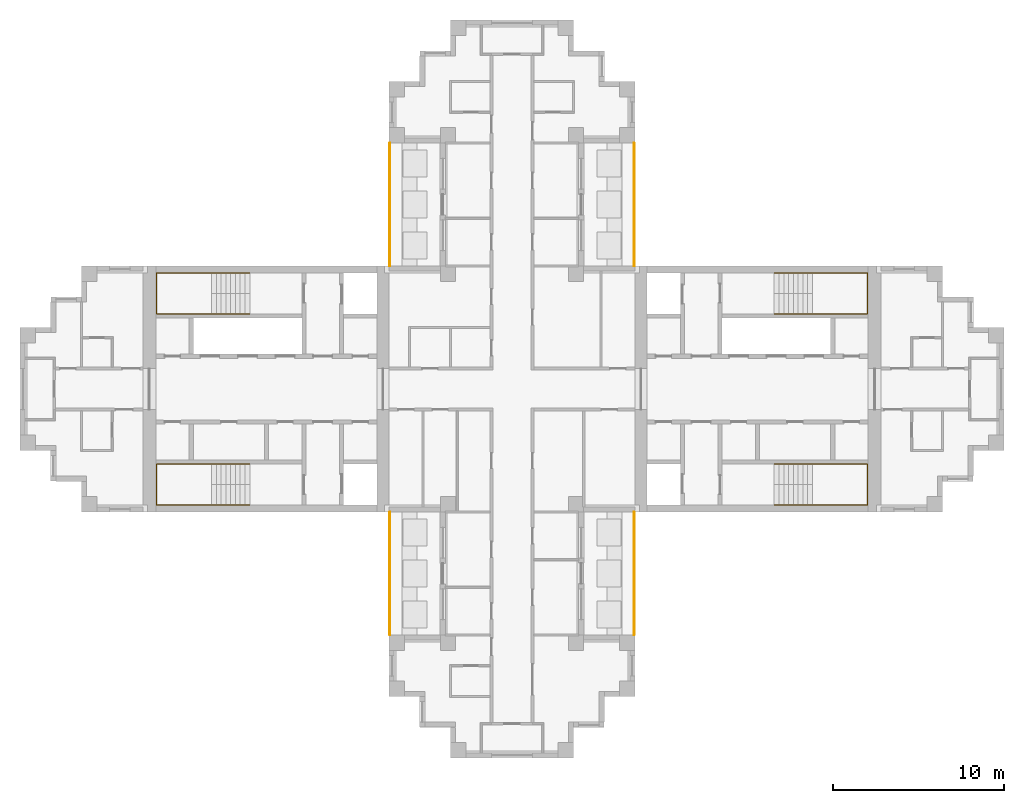
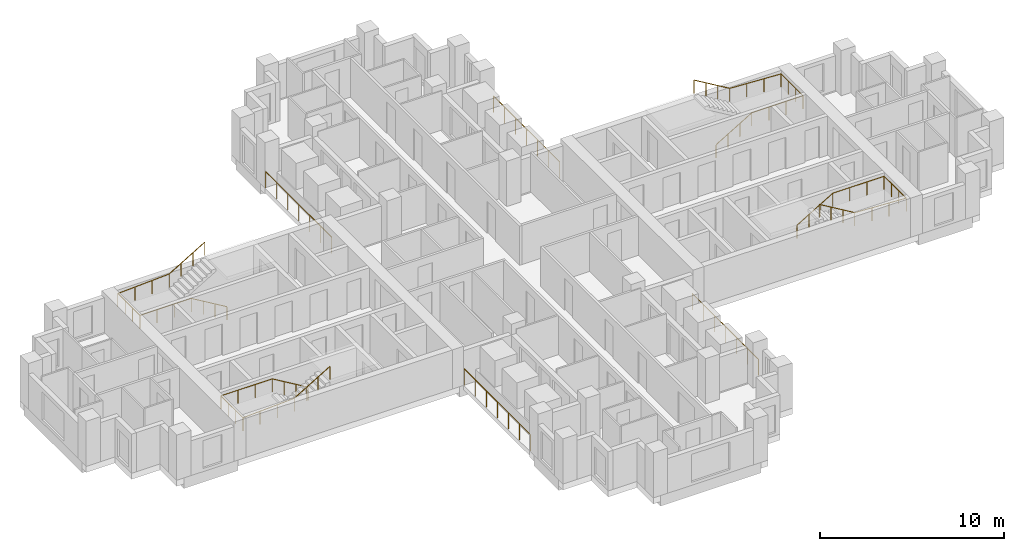
# One storey, part 9 of 10: 8 railings.
"""IFC4 building model written with IfcOpenShell, lengths in metres."""

from ifc_helpers import new_model, si_unit, direction, frame, origin, origin_2d, place, context, subcontext, project, spatial, circle, extrude, material, type_object, element, save


model = new_model("IFC4")

# Units and contexts
model_context = context("Model", 3, precision=1e-05, world=origin(), true_north=direction((0.0, 1.0)))
body_context = subcontext(model_context, "Body", "Model", "MODEL_VIEW")
ifc_project = project(units=[si_unit("LENGTHUNIT", "METRE"), si_unit("AREAUNIT", "SQUARE_METRE"), si_unit("VOLUMEUNIT", "CUBIC_METRE"), si_unit("PLANEANGLEUNIT", "RADIAN"), si_unit("MASSUNIT", "GRAM", prefix="KILO")], contexts=[model_context])

# Site, building, storey
site_placement = place(None, origin())
site = spatial("IfcSite", under=ifc_project, at=site_placement, CompositionType="ELEMENT")
building_placement = place(site_placement, origin())
building = spatial("IfcBuilding", under=site, at=building_placement, Name="Fustian Cross Tower", CompositionType="ELEMENT")
storey_placement = place(building_placement, frame((0.0, 0.0, 231.89990234375)))
storey = spatial("IfcBuildingStorey", under=building, at=storey_placement, Name="L73", CompositionType="ELEMENT", Elevation=231.89990234375)

# Railings
ifc_material_1 = material(Name="Stainless steel and glass", Category="steel")
railing_type_1 = type_object("IfcRailingType", Name="GR1 BALCONY GUARD 1100", PredefinedType="GUARDRAIL", material=ifc_material_1)
for number, where, name in (
    (1, (7.14990234375, 7.199951171875, 0.0), "Balcony guard"),
    (2, (-7.14990234375, 7.199951171875, 0.0), "Balcony guard"),
    (3, (7.14990234375, -14.39990234375, 0.0), "Balcony guard"),
    (4, (-7.14990234375, -14.39990234375, 0.0), "Balcony guard"),
):
    element("IfcRailing", number, at=place(storey_placement, frame(where)), inside=storey, type_object=railing_type_1, Name=name, PredefinedType="GUARDRAIL", context=body_context, shape_type="SweptSolid", body=[
        extrude(circle(Radius=0.02392578125, at=origin_2d()), frame((0.0, 0.0, 1.076171875), z_axis=(0.0, 1.0, 0.0), x_axis=(-1.0, 0.0, 0.0)), (0.0, 0.0, 1.0), 7.199951171875),
        extrude(circle(Radius=0.02099609375, at=origin_2d()), origin(), (0.0, 0.0, 1.0), 1.052001953125),
        extrude(circle(Radius=0.02099609375, at=origin_2d()), frame((0.0, 1.199951171875, 0.0)), (0.0, 0.0, 1.0), 1.052001953125),
        extrude(circle(Radius=0.02099609375, at=origin_2d()), frame((0.0, 2.39990234375, 0.0)), (0.0, 0.0, 1.0), 1.052001953125),
        extrude(circle(Radius=0.02099609375, at=origin_2d()), frame((0.0, 3.60009765625, 0.0)), (0.0, 0.0, 1.0), 1.052001953125),
        extrude(circle(Radius=0.02099609375, at=origin_2d()), frame((0.0, 4.800048828125, 0.0)), (0.0, 0.0, 1.0), 1.052001953125),
        extrude(circle(Radius=0.02099609375, at=origin_2d()), frame((0.0, 6.0, 0.0)), (0.0, 0.0, 1.0), 1.052001953125),
        extrude(circle(Radius=0.02099609375, at=origin_2d()), frame((0.0, 7.199951171875, 0.0)), (0.0, 0.0, 1.0), 1.052001953125),
    ])
ifc_material_2 = material(Name="Stainless steel", Category="steel")
railing_type_2 = type_object("IfcRailingType", Name="STAIR HANDRAIL", PredefinedType="HANDRAIL", material=ifc_material_2)
railing_1_placement = place(storey_placement, frame((15.35009765625, 4.39990234375, 0.166748046875)))
element("IfcRailing", 5, at=railing_1_placement, inside=storey, type_object=railing_type_2, Name="Stair ST1 handrail 1", PredefinedType="HANDRAIL", context=body_context, shape_type="SweptSolid", body=[
    extrude(circle(Radius=0.02490234375, at=origin_2d()), frame((0.0, 0.0, 0.875), z_axis=(0.859305625298, 0.0, 0.511462454469), x_axis=(0.0, 1.0, 0.0)), (0.0, 0.0, 1.0), 2.606689453125),
    extrude(circle(Radius=0.02490234375, at=origin_2d()), frame((2.239990234375, 0.0, 2.2080078125), z_axis=(1.0, 0.0, 0.0), x_axis=(0.0, 1.0, 0.0)), (0.0, 0.0, 1.0), 3.219970703125),
    extrude(circle(Radius=0.02490234375, at=origin_2d()), frame((5.4599609375, 0.0, 2.2080078125), z_axis=(0.0, 1.0, 0.0), x_axis=(-1.0, 0.0, 0.0)), (0.0, 0.0, 1.0), 2.400146484375),
    extrude(circle(Radius=0.02490234375, at=origin_2d()), frame((5.4599609375, 2.400146484375, 2.2080078125), z_axis=(-0.998661817807, 0.0, 0.051716280352), x_axis=(0.0, -1.0, 0.0)), (0.0, 0.0, 1.0), 3.224365234375),
    extrude(circle(Radius=0.02490234375, at=origin_2d()), frame((2.239990234375, 2.400146484375, 2.375), z_axis=(-0.859305625298, 0.0, 0.511462454469), x_axis=(0.0, -1.0, 0.0)), (0.0, 0.0, 1.0), 2.606689453125),
    extrude(circle(Radius=0.02001953125, at=origin_2d()), origin(), (0.0, 0.0, 1.0), 0.849853515625),
    extrude(circle(Radius=0.02001953125, at=origin_2d()), frame((0.74658203125, 0.0, 0.4443359375)), (0.0, 0.0, 1.0), 0.849853515625),
    extrude(circle(Radius=0.02001953125, at=origin_2d()), frame((1.493408203125, 0.0, 0.888916015625)), (0.0, 0.0, 1.0), 0.849853515625),
    extrude(circle(Radius=0.02001953125, at=origin_2d()), frame((2.239990234375, 0.0, 1.333251953125)), (0.0, 0.0, 1.0), 0.849853515625),
    extrude(circle(Radius=0.02001953125, at=origin_2d()), frame((3.313232421875, 0.0, 1.333251953125)), (0.0, 0.0, 1.0), 0.849853515625),
    extrude(circle(Radius=0.02001953125, at=origin_2d()), frame((4.38671875, 0.0, 1.333251953125)), (0.0, 0.0, 1.0), 0.849853515625),
    extrude(circle(Radius=0.02001953125, at=origin_2d()), frame((5.4599609375, 0.0, 1.333251953125)), (0.0, 0.0, 1.0), 0.849853515625),
    extrude(circle(Radius=0.02001953125, at=origin_2d()), frame((5.4599609375, 0.800048828125, 1.333251953125)), (0.0, 0.0, 1.0), 0.849853515625),
    extrude(circle(Radius=0.02001953125, at=origin_2d()), frame((5.4599609375, 1.60009765625, 1.333251953125)), (0.0, 0.0, 1.0), 0.849853515625),
    extrude(circle(Radius=0.02001953125, at=origin_2d()), frame((5.4599609375, 2.400146484375, 1.333251953125)), (0.0, 0.0, 1.0), 0.849853515625),
    extrude(circle(Radius=0.02001953125, at=origin_2d()), frame((4.38671875, 2.400146484375, 1.388916015625)), (0.0, 0.0, 1.0), 0.849853515625),
    extrude(circle(Radius=0.02001953125, at=origin_2d()), frame((3.313232421875, 2.400146484375, 1.4443359375)), (0.0, 0.0, 1.0), 0.849853515625),
    extrude(circle(Radius=0.02001953125, at=origin_2d()), frame((2.239990234375, 2.400146484375, 1.5)), (0.0, 0.0, 1.0), 0.849853515625),
    extrude(circle(Radius=0.02001953125, at=origin_2d()), frame((1.493408203125, 2.400146484375, 1.9443359375)), (0.0, 0.0, 1.0), 0.849853515625),
    extrude(circle(Radius=0.02001953125, at=origin_2d()), frame((0.74658203125, 2.400146484375, 2.388916015625)), (0.0, 0.0, 1.0), 0.849853515625),
    extrude(circle(Radius=0.02001953125, at=origin_2d()), frame((0.0, 2.400146484375, 2.833251953125)), (0.0, 0.0, 1.0), 0.849853515625),
])
railing_2_placement = place(storey_placement, frame((15.35009765625, -4.39990234375, 0.166748046875)))
element("IfcRailing", 6, at=railing_2_placement, inside=storey, type_object=railing_type_2, Name="Stair ST2 handrail 1", PredefinedType="HANDRAIL", context=body_context, shape_type="SweptSolid", body=[
    extrude(circle(Radius=0.02490234375, at=origin_2d()), frame((0.0, 0.0, 0.875), z_axis=(0.859305625298, 0.0, 0.511462454469), x_axis=(0.0, 1.0, 0.0)), (0.0, 0.0, 1.0), 2.606689453125),
    extrude(circle(Radius=0.02490234375, at=origin_2d()), frame((2.239990234375, 0.0, 2.2080078125), z_axis=(1.0, 0.0, 0.0), x_axis=(0.0, 1.0, 0.0)), (0.0, 0.0, 1.0), 3.219970703125),
    extrude(circle(Radius=0.02490234375, at=origin_2d()), frame((5.4599609375, 0.0, 2.2080078125), z_axis=(0.0, -1.0, 0.0), x_axis=(1.0, 0.0, 0.0)), (0.0, 0.0, 1.0), 2.400146484375),
    extrude(circle(Radius=0.02490234375, at=origin_2d()), frame((5.4599609375, -2.400146484375, 2.2080078125), z_axis=(-0.998661817807, 0.0, 0.051716280352), x_axis=(0.0, -1.0, 0.0)), (0.0, 0.0, 1.0), 3.224365234375),
    extrude(circle(Radius=0.02490234375, at=origin_2d()), frame((2.239990234375, -2.400146484375, 2.375), z_axis=(-0.859305625298, 0.0, 0.511462454469), x_axis=(0.0, -1.0, 0.0)), (0.0, 0.0, 1.0), 2.606689453125),
    extrude(circle(Radius=0.02001953125, at=origin_2d()), origin(), (0.0, 0.0, 1.0), 0.849853515625),
    extrude(circle(Radius=0.02001953125, at=origin_2d()), frame((0.74658203125, 0.0, 0.4443359375)), (0.0, 0.0, 1.0), 0.849853515625),
    extrude(circle(Radius=0.02001953125, at=origin_2d()), frame((1.493408203125, 0.0, 0.888916015625)), (0.0, 0.0, 1.0), 0.849853515625),
    extrude(circle(Radius=0.02001953125, at=origin_2d()), frame((2.239990234375, 0.0, 1.333251953125)), (0.0, 0.0, 1.0), 0.849853515625),
    extrude(circle(Radius=0.02001953125, at=origin_2d()), frame((3.313232421875, 0.0, 1.333251953125)), (0.0, 0.0, 1.0), 0.849853515625),
    extrude(circle(Radius=0.02001953125, at=origin_2d()), frame((4.38671875, 0.0, 1.333251953125)), (0.0, 0.0, 1.0), 0.849853515625),
    extrude(circle(Radius=0.02001953125, at=origin_2d()), frame((5.4599609375, 0.0, 1.333251953125)), (0.0, 0.0, 1.0), 0.849853515625),
    extrude(circle(Radius=0.02001953125, at=origin_2d()), frame((5.4599609375, -0.800048828125, 1.333251953125)), (0.0, 0.0, 1.0), 0.849853515625),
    extrude(circle(Radius=0.02001953125, at=origin_2d()), frame((5.4599609375, -1.60009765625, 1.333251953125)), (0.0, 0.0, 1.0), 0.849853515625),
    extrude(circle(Radius=0.02001953125, at=origin_2d()), frame((5.4599609375, -2.400146484375, 1.333251953125)), (0.0, 0.0, 1.0), 0.849853515625),
    extrude(circle(Radius=0.02001953125, at=origin_2d()), frame((4.38671875, -2.400146484375, 1.388916015625)), (0.0, 0.0, 1.0), 0.849853515625),
    extrude(circle(Radius=0.02001953125, at=origin_2d()), frame((3.313232421875, -2.400146484375, 1.4443359375)), (0.0, 0.0, 1.0), 0.849853515625),
    extrude(circle(Radius=0.02001953125, at=origin_2d()), frame((2.239990234375, -2.400146484375, 1.5)), (0.0, 0.0, 1.0), 0.849853515625),
    extrude(circle(Radius=0.02001953125, at=origin_2d()), frame((1.493408203125, -2.400146484375, 1.9443359375)), (0.0, 0.0, 1.0), 0.849853515625),
    extrude(circle(Radius=0.02001953125, at=origin_2d()), frame((0.74658203125, -2.400146484375, 2.388916015625)), (0.0, 0.0, 1.0), 0.849853515625),
    extrude(circle(Radius=0.02001953125, at=origin_2d()), frame((0.0, -2.400146484375, 2.833251953125)), (0.0, 0.0, 1.0), 0.849853515625),
])
railing_3_placement = place(storey_placement, frame((-15.35009765625, 4.39990234375, 0.166748046875)))
element("IfcRailing", 7, at=railing_3_placement, inside=storey, type_object=railing_type_2, Name="Stair ST3 handrail 1", PredefinedType="HANDRAIL", context=body_context, shape_type="SweptSolid", body=[
    extrude(circle(Radius=0.02490234375, at=origin_2d()), frame((0.0, 0.0, 0.875), z_axis=(-0.859305625298, 0.0, 0.511462454469), x_axis=(0.0, -1.0, 0.0)), (0.0, 0.0, 1.0), 2.606689453125),
    extrude(circle(Radius=0.02490234375, at=origin_2d()), frame((-2.239990234375, 0.0, 2.2080078125), z_axis=(-1.0, 0.0, 0.0), x_axis=(0.0, -1.0, 0.0)), (0.0, 0.0, 1.0), 3.219970703125),
    extrude(circle(Radius=0.02490234375, at=origin_2d()), frame((-5.4599609375, 0.0, 2.2080078125), z_axis=(0.0, 1.0, 0.0), x_axis=(-1.0, 0.0, 0.0)), (0.0, 0.0, 1.0), 2.400146484375),
    extrude(circle(Radius=0.02490234375, at=origin_2d()), frame((-5.4599609375, 2.400146484375, 2.2080078125), z_axis=(0.998661817807, 0.0, 0.051716280352), x_axis=(0.0, 1.0, 0.0)), (0.0, 0.0, 1.0), 3.224365234375),
    extrude(circle(Radius=0.02490234375, at=origin_2d()), frame((-2.239990234375, 2.400146484375, 2.375), z_axis=(0.859305625298, 0.0, 0.511462454469), x_axis=(0.0, 1.0, 0.0)), (0.0, 0.0, 1.0), 2.606689453125),
    extrude(circle(Radius=0.02001953125, at=origin_2d()), origin(), (0.0, 0.0, 1.0), 0.849853515625),
    extrude(circle(Radius=0.02001953125, at=origin_2d()), frame((-0.74658203125, 0.0, 0.4443359375)), (0.0, 0.0, 1.0), 0.849853515625),
    extrude(circle(Radius=0.02001953125, at=origin_2d()), frame((-1.493408203125, 0.0, 0.888916015625)), (0.0, 0.0, 1.0), 0.849853515625),
    extrude(circle(Radius=0.02001953125, at=origin_2d()), frame((-2.239990234375, 0.0, 1.333251953125)), (0.0, 0.0, 1.0), 0.849853515625),
    extrude(circle(Radius=0.02001953125, at=origin_2d()), frame((-3.313232421875, 0.0, 1.333251953125)), (0.0, 0.0, 1.0), 0.849853515625),
    extrude(circle(Radius=0.02001953125, at=origin_2d()), frame((-4.38671875, 0.0, 1.333251953125)), (0.0, 0.0, 1.0), 0.849853515625),
    extrude(circle(Radius=0.02001953125, at=origin_2d()), frame((-5.4599609375, 0.0, 1.333251953125)), (0.0, 0.0, 1.0), 0.849853515625),
    extrude(circle(Radius=0.02001953125, at=origin_2d()), frame((-5.4599609375, 0.800048828125, 1.333251953125)), (0.0, 0.0, 1.0), 0.849853515625),
    extrude(circle(Radius=0.02001953125, at=origin_2d()), frame((-5.4599609375, 1.60009765625, 1.333251953125)), (0.0, 0.0, 1.0), 0.849853515625),
    extrude(circle(Radius=0.02001953125, at=origin_2d()), frame((-5.4599609375, 2.400146484375, 1.333251953125)), (0.0, 0.0, 1.0), 0.849853515625),
    extrude(circle(Radius=0.02001953125, at=origin_2d()), frame((-4.38671875, 2.400146484375, 1.388916015625)), (0.0, 0.0, 1.0), 0.849853515625),
    extrude(circle(Radius=0.02001953125, at=origin_2d()), frame((-3.313232421875, 2.400146484375, 1.4443359375)), (0.0, 0.0, 1.0), 0.849853515625),
    extrude(circle(Radius=0.02001953125, at=origin_2d()), frame((-2.239990234375, 2.400146484375, 1.5)), (0.0, 0.0, 1.0), 0.849853515625),
    extrude(circle(Radius=0.02001953125, at=origin_2d()), frame((-1.493408203125, 2.400146484375, 1.9443359375)), (0.0, 0.0, 1.0), 0.849853515625),
    extrude(circle(Radius=0.02001953125, at=origin_2d()), frame((-0.74658203125, 2.400146484375, 2.388916015625)), (0.0, 0.0, 1.0), 0.849853515625),
    extrude(circle(Radius=0.02001953125, at=origin_2d()), frame((0.0, 2.400146484375, 2.833251953125)), (0.0, 0.0, 1.0), 0.849853515625),
])
railing_4_placement = place(storey_placement, frame((-15.35009765625, -4.39990234375, 0.166748046875)))
element("IfcRailing", 8, at=railing_4_placement, inside=storey, type_object=railing_type_2, Name="Stair ST4 handrail 1", PredefinedType="HANDRAIL", context=body_context, shape_type="SweptSolid", body=[
    extrude(circle(Radius=0.02490234375, at=origin_2d()), frame((0.0, 0.0, 0.875), z_axis=(-0.859305625298, 0.0, 0.511462454469), x_axis=(0.0, -1.0, 0.0)), (0.0, 0.0, 1.0), 2.606689453125),
    extrude(circle(Radius=0.02490234375, at=origin_2d()), frame((-2.239990234375, 0.0, 2.2080078125), z_axis=(-1.0, 0.0, 0.0), x_axis=(0.0, -1.0, 0.0)), (0.0, 0.0, 1.0), 3.219970703125),
    extrude(circle(Radius=0.02490234375, at=origin_2d()), frame((-5.4599609375, 0.0, 2.2080078125), z_axis=(0.0, -1.0, 0.0), x_axis=(1.0, 0.0, 0.0)), (0.0, 0.0, 1.0), 2.400146484375),
    extrude(circle(Radius=0.02490234375, at=origin_2d()), frame((-5.4599609375, -2.400146484375, 2.2080078125), z_axis=(0.998661817807, 0.0, 0.051716280352), x_axis=(0.0, 1.0, 0.0)), (0.0, 0.0, 1.0), 3.224365234375),
    extrude(circle(Radius=0.02490234375, at=origin_2d()), frame((-2.239990234375, -2.400146484375, 2.375), z_axis=(0.859305625298, 0.0, 0.511462454469), x_axis=(0.0, 1.0, 0.0)), (0.0, 0.0, 1.0), 2.606689453125),
    extrude(circle(Radius=0.02001953125, at=origin_2d()), origin(), (0.0, 0.0, 1.0), 0.849853515625),
    extrude(circle(Radius=0.02001953125, at=origin_2d()), frame((-0.74658203125, 0.0, 0.4443359375)), (0.0, 0.0, 1.0), 0.849853515625),
    extrude(circle(Radius=0.02001953125, at=origin_2d()), frame((-1.493408203125, 0.0, 0.888916015625)), (0.0, 0.0, 1.0), 0.849853515625),
    extrude(circle(Radius=0.02001953125, at=origin_2d()), frame((-2.239990234375, 0.0, 1.333251953125)), (0.0, 0.0, 1.0), 0.849853515625),
    extrude(circle(Radius=0.02001953125, at=origin_2d()), frame((-3.313232421875, 0.0, 1.333251953125)), (0.0, 0.0, 1.0), 0.849853515625),
    extrude(circle(Radius=0.02001953125, at=origin_2d()), frame((-4.38671875, 0.0, 1.333251953125)), (0.0, 0.0, 1.0), 0.849853515625),
    extrude(circle(Radius=0.02001953125, at=origin_2d()), frame((-5.4599609375, 0.0, 1.333251953125)), (0.0, 0.0, 1.0), 0.849853515625),
    extrude(circle(Radius=0.02001953125, at=origin_2d()), frame((-5.4599609375, -0.800048828125, 1.333251953125)), (0.0, 0.0, 1.0), 0.849853515625),
    extrude(circle(Radius=0.02001953125, at=origin_2d()), frame((-5.4599609375, -1.60009765625, 1.333251953125)), (0.0, 0.0, 1.0), 0.849853515625),
    extrude(circle(Radius=0.02001953125, at=origin_2d()), frame((-5.4599609375, -2.400146484375, 1.333251953125)), (0.0, 0.0, 1.0), 0.849853515625),
    extrude(circle(Radius=0.02001953125, at=origin_2d()), frame((-4.38671875, -2.400146484375, 1.388916015625)), (0.0, 0.0, 1.0), 0.849853515625),
    extrude(circle(Radius=0.02001953125, at=origin_2d()), frame((-3.313232421875, -2.400146484375, 1.4443359375)), (0.0, 0.0, 1.0), 0.849853515625),
    extrude(circle(Radius=0.02001953125, at=origin_2d()), frame((-2.239990234375, -2.400146484375, 1.5)), (0.0, 0.0, 1.0), 0.849853515625),
    extrude(circle(Radius=0.02001953125, at=origin_2d()), frame((-1.493408203125, -2.400146484375, 1.9443359375)), (0.0, 0.0, 1.0), 0.849853515625),
    extrude(circle(Radius=0.02001953125, at=origin_2d()), frame((-0.74658203125, -2.400146484375, 2.388916015625)), (0.0, 0.0, 1.0), 0.849853515625),
    extrude(circle(Radius=0.02001953125, at=origin_2d()), frame((0.0, -2.400146484375, 2.833251953125)), (0.0, 0.0, 1.0), 0.849853515625),
])

save(model, "model.ifc")
